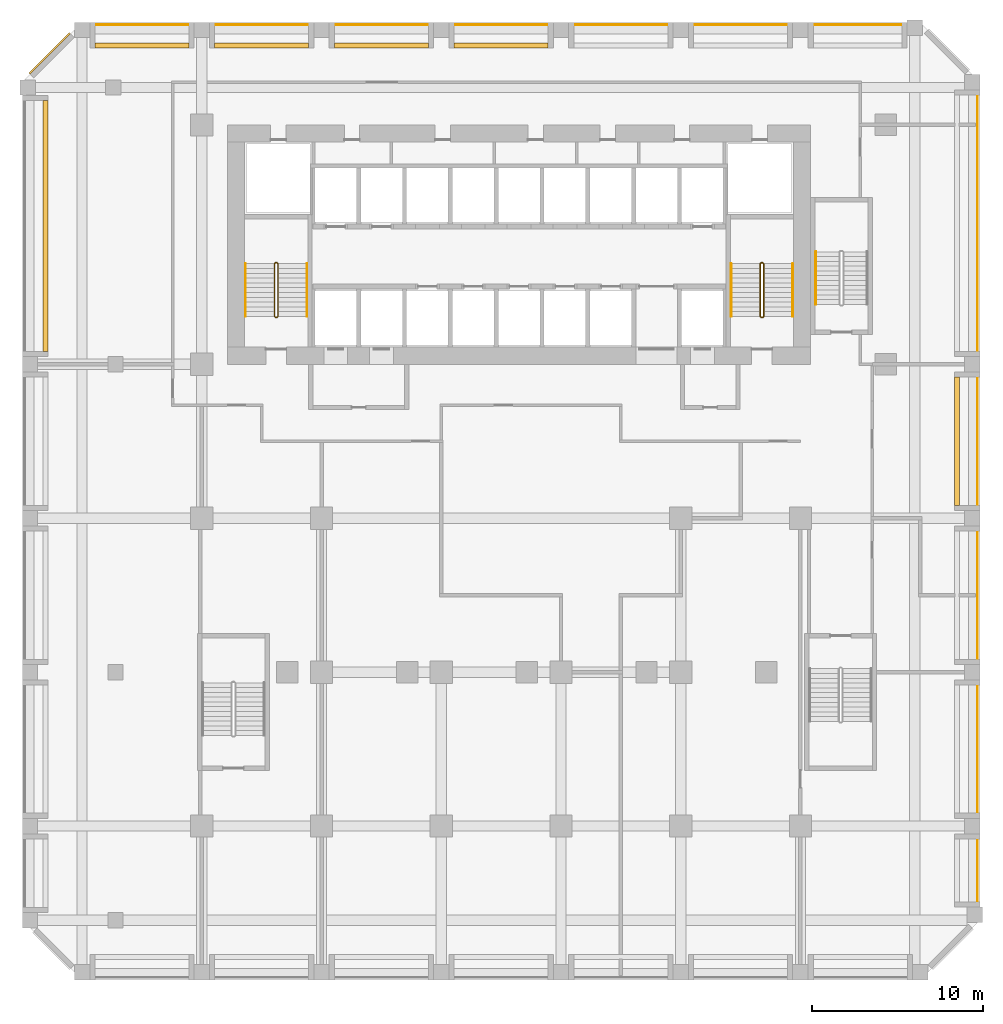
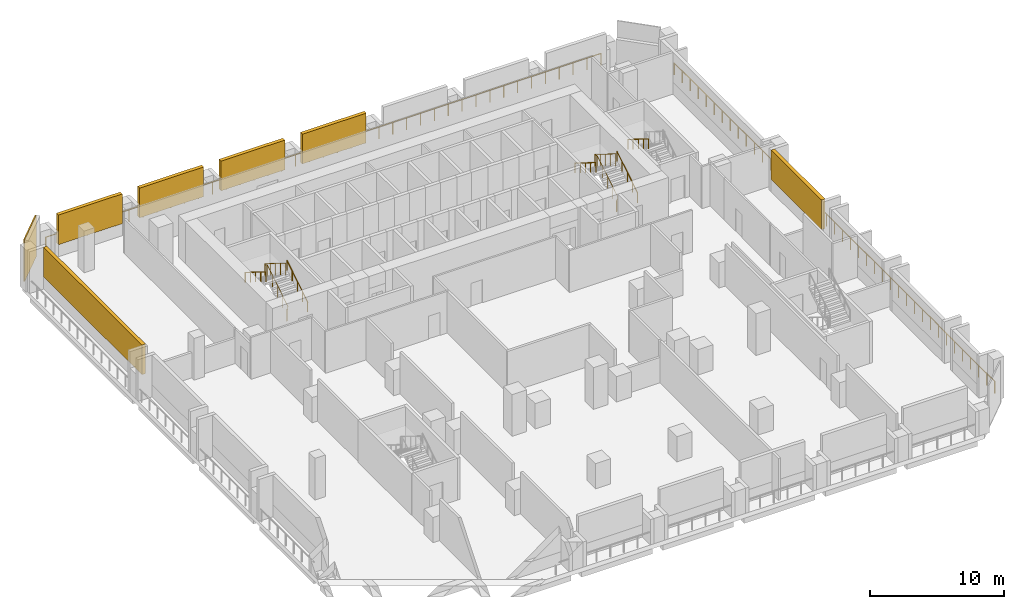
# One storey, part 9 of 10: 9 railings, 7 shading devices.
"""IFC4 building model written with IfcOpenShell, lengths in metres."""

from ifc_helpers import new_model, si_unit, direction, frame, origin, origin_2d, place, context, subcontext, project, spatial, rectangle, circle, extrude, source, transform, mapped, material, layer, layer_set, type_object, element, save


model = new_model("IFC4")

# Units and contexts
model_context = context("Model", 3, precision=1e-05, world=origin(), true_north=direction((0.0, 1.0)))
body_context = subcontext(model_context, "Body", "Model", "MODEL_VIEW")
ifc_project = project(units=[si_unit("LENGTHUNIT", "METRE"), si_unit("AREAUNIT", "SQUARE_METRE"), si_unit("VOLUMEUNIT", "CUBIC_METRE"), si_unit("PLANEANGLEUNIT", "RADIAN"), si_unit("MASSUNIT", "GRAM", prefix="KILO")], contexts=[model_context])

# Site, building, storey
site_placement = place(None, origin())
site = spatial("IfcSite", under=ifc_project, at=site_placement, CompositionType="ELEMENT")
building_placement = place(site_placement, origin())
building = spatial("IfcBuilding", under=site, at=building_placement, Name="Kilnfold Tower and Market Hall", CompositionType="ELEMENT")
storey_placement = place(building_placement, frame((0.0, 0.0, 59.0)))
storey = spatial("IfcBuildingStorey", under=building, at=storey_placement, Name="L13 Plant Transfer Level", CompositionType="ELEMENT", Elevation=59.0)

# Railings
ifc_material_1 = material(Name="Stainless steel 316", Category="steel")
railing_type_1 = type_object("IfcRailingType", Name="CORE STAIR GUARD 1100", PredefinedType="GUARDRAIL", material=ifc_material_1)
railing_1_placement = place(storey_placement, frame((-13.199951171875, 10.75, 0.0)))
element("IfcRailing", 1, at=railing_1_placement, inside=storey, type_object=railing_type_1, Name="L13 Plant Transfer Level ST1 stair guard 1", PredefinedType="GUARDRAIL", context=body_context, shape_type="SweptSolid", body=[
    extrude(circle(Radius=0.02392578125, at=origin_2d()), frame((0.0, 0.0, 1.076171875), z_axis=(1.0, 0.0, 0.0), x_axis=(0.0, 1.0, 0.0)), (0.0, 0.0, 1.0), 0.099853515625),
    extrude(circle(Radius=0.02392578125, at=origin_2d()), frame((0.099853515625, 0.0, 1.076171875), z_axis=(0.265065253269, 0.265065253269, 0.927081885822), x_axis=(-0.707106781187, 0.707106781187, 0.0)), (0.0, 0.0, 1.0), 0.188720703125),
    extrude(circle(Radius=0.02392578125, at=origin_2d()), frame((0.14990234375, 0.050048828125, 1.2509765625), z_axis=(0.0, 0.847979421464, 0.530029150871), x_axis=(-1.0, 0.0, 0.0)), (0.0, 0.0, 1.0), 3.632080078125),
    extrude(circle(Radius=0.02392578125, at=origin_2d()), frame((0.14990234375, 3.1298828125, 3.17626953125), z_axis=(-0.707106781187, 0.707106781187, 0.0), x_axis=(-0.707106781187, -0.707106781187, 0.0)), (0.0, 0.0, 1.0), 0.07080078125),
    extrude(circle(Radius=0.02392578125, at=origin_2d()), frame((0.099853515625, 3.179931640625, 3.17626953125), z_axis=(-1.0, 0.0, 0.0), x_axis=(0.0, -1.0, 0.0)), (0.0, 0.0, 1.0), 0.099853515625),
    extrude(circle(Radius=0.02392578125, at=origin_2d()), frame((0.0, 3.179931640625, 3.17626953125), z_axis=(-0.265383341853, -0.265383341853, 0.926899867156), x_axis=(0.707106781187, -0.707106781187, 0.0)), (0.0, 0.0, 1.0), 0.1884765625),
    extrude(circle(Radius=0.02392578125, at=origin_2d()), frame((-0.050048828125, 3.1298828125, 3.35107421875), z_axis=(0.0, -0.847979421464, 0.530029150871), x_axis=(1.0, 0.0, 0.0)), (0.0, 0.0, 1.0), 3.632080078125),
    extrude(circle(Radius=0.02099609375, at=origin_2d()), origin(), (0.0, 0.0, 1.0), 1.052001953125),
    extrude(circle(Radius=0.02099609375, at=origin_2d()), frame((0.099853515625, 0.0, 0.0)), (0.0, 0.0, 1.0), 1.052001953125),
    extrude(circle(Radius=0.02099609375, at=origin_2d()), frame((0.14990234375, 0.050048828125, 0.175048828125)), (0.0, 0.0, 1.0), 1.052001953125),
    extrude(circle(Radius=0.02099609375, at=origin_2d()), frame((0.14990234375, 0.820068359375, 0.65625)), (0.0, 0.0, 1.0), 1.052001953125),
    extrude(circle(Radius=0.02099609375, at=origin_2d()), frame((0.14990234375, 1.58984375, 1.1376953125)), (0.0, 0.0, 1.0), 1.052001953125),
    extrude(circle(Radius=0.02099609375, at=origin_2d()), frame((0.14990234375, 2.35986328125, 1.618896484375)), (0.0, 0.0, 1.0), 1.052001953125),
    extrude(circle(Radius=0.02099609375, at=origin_2d()), frame((0.14990234375, 3.1298828125, 2.10009765625)), (0.0, 0.0, 1.0), 1.052001953125),
    extrude(circle(Radius=0.02099609375, at=origin_2d()), frame((0.099853515625, 3.179931640625, 2.10009765625)), (0.0, 0.0, 1.0), 1.052001953125),
    extrude(circle(Radius=0.02099609375, at=origin_2d()), frame((0.0, 3.179931640625, 2.10009765625)), (0.0, 0.0, 1.0), 1.052001953125),
    extrude(circle(Radius=0.02099609375, at=origin_2d()), frame((-0.050048828125, 3.1298828125, 2.27490234375)), (0.0, 0.0, 1.0), 1.052001953125),
    extrude(circle(Radius=0.02099609375, at=origin_2d()), frame((-0.050048828125, 2.35986328125, 2.756103515625)), (0.0, 0.0, 1.0), 1.052001953125),
    extrude(circle(Radius=0.02099609375, at=origin_2d()), frame((-0.050048828125, 1.58984375, 3.2373046875)), (0.0, 0.0, 1.0), 1.052001953125),
    extrude(circle(Radius=0.02099609375, at=origin_2d()), frame((-0.050048828125, 0.820068359375, 3.71875)), (0.0, 0.0, 1.0), 1.052001953125),
    extrude(circle(Radius=0.02099609375, at=origin_2d()), frame((-0.050048828125, 0.050048828125, 4.199951171875)), (0.0, 0.0, 1.0), 1.052001953125),
])
railing_2_placement = place(storey_placement, frame((15.199951171875, 10.75, 0.0)))
element("IfcRailing", 2, at=railing_2_placement, inside=storey, type_object=railing_type_1, Name="L13 Plant Transfer Level ST2 stair guard 1", PredefinedType="GUARDRAIL", context=body_context, shape_type="SweptSolid", body=[
    extrude(circle(Radius=0.02392578125, at=origin_2d()), frame((0.0, 0.0, 1.076171875), z_axis=(1.0, 0.0, 0.0), x_axis=(0.0, 1.0, 0.0)), (0.0, 0.0, 1.0), 0.10009765625),
    extrude(circle(Radius=0.02392578125, at=origin_2d()), frame((0.10009765625, 0.0, 1.076171875), z_axis=(0.265065253269, 0.265065253269, 0.927081885822), x_axis=(-0.707106781187, 0.707106781187, 0.0)), (0.0, 0.0, 1.0), 0.188720703125),
    extrude(circle(Radius=0.02392578125, at=origin_2d()), frame((0.150146484375, 0.050048828125, 1.2509765625), z_axis=(0.0, 0.847979421464, 0.530029150871), x_axis=(-1.0, 0.0, 0.0)), (0.0, 0.0, 1.0), 3.632080078125),
    extrude(circle(Radius=0.02392578125, at=origin_2d()), frame((0.150146484375, 3.1298828125, 3.17626953125), z_axis=(-0.707106781187, 0.707106781187, 0.0), x_axis=(-0.707106781187, -0.707106781187, 0.0)), (0.0, 0.0, 1.0), 0.07080078125),
    extrude(circle(Radius=0.02392578125, at=origin_2d()), frame((0.10009765625, 3.179931640625, 3.17626953125), z_axis=(-1.0, 0.0, 0.0), x_axis=(0.0, -1.0, 0.0)), (0.0, 0.0, 1.0), 0.10009765625),
    extrude(circle(Radius=0.02392578125, at=origin_2d()), frame((0.0, 3.179931640625, 3.17626953125), z_axis=(-0.265383341853, -0.265383341853, 0.926899867156), x_axis=(0.707106781187, -0.707106781187, 0.0)), (0.0, 0.0, 1.0), 0.1884765625),
    extrude(circle(Radius=0.02392578125, at=origin_2d()), frame((-0.050048828125, 3.1298828125, 3.35107421875), z_axis=(0.0, -0.847979421464, 0.530029150871), x_axis=(1.0, 0.0, 0.0)), (0.0, 0.0, 1.0), 3.632080078125),
    extrude(circle(Radius=0.02099609375, at=origin_2d()), origin(), (0.0, 0.0, 1.0), 1.052001953125),
    extrude(circle(Radius=0.02099609375, at=origin_2d()), frame((0.10009765625, 0.0, 0.0)), (0.0, 0.0, 1.0), 1.052001953125),
    extrude(circle(Radius=0.02099609375, at=origin_2d()), frame((0.150146484375, 0.050048828125, 0.175048828125)), (0.0, 0.0, 1.0), 1.052001953125),
    extrude(circle(Radius=0.02099609375, at=origin_2d()), frame((0.150146484375, 0.820068359375, 0.65625)), (0.0, 0.0, 1.0), 1.052001953125),
    extrude(circle(Radius=0.02099609375, at=origin_2d()), frame((0.150146484375, 1.58984375, 1.1376953125)), (0.0, 0.0, 1.0), 1.052001953125),
    extrude(circle(Radius=0.02099609375, at=origin_2d()), frame((0.150146484375, 2.35986328125, 1.618896484375)), (0.0, 0.0, 1.0), 1.052001953125),
    extrude(circle(Radius=0.02099609375, at=origin_2d()), frame((0.150146484375, 3.1298828125, 2.10009765625)), (0.0, 0.0, 1.0), 1.052001953125),
    extrude(circle(Radius=0.02099609375, at=origin_2d()), frame((0.10009765625, 3.179931640625, 2.10009765625)), (0.0, 0.0, 1.0), 1.052001953125),
    extrude(circle(Radius=0.02099609375, at=origin_2d()), frame((0.0, 3.179931640625, 2.10009765625)), (0.0, 0.0, 1.0), 1.052001953125),
    extrude(circle(Radius=0.02099609375, at=origin_2d()), frame((-0.050048828125, 3.1298828125, 2.27490234375)), (0.0, 0.0, 1.0), 1.052001953125),
    extrude(circle(Radius=0.02099609375, at=origin_2d()), frame((-0.050048828125, 2.35986328125, 2.756103515625)), (0.0, 0.0, 1.0), 1.052001953125),
    extrude(circle(Radius=0.02099609375, at=origin_2d()), frame((-0.050048828125, 1.58984375, 3.2373046875)), (0.0, 0.0, 1.0), 1.052001953125),
    extrude(circle(Radius=0.02099609375, at=origin_2d()), frame((-0.050048828125, 0.820068359375, 3.71875)), (0.0, 0.0, 1.0), 1.052001953125),
    extrude(circle(Radius=0.02099609375, at=origin_2d()), frame((-0.050048828125, 0.050048828125, 4.199951171875)), (0.0, 0.0, 1.0), 1.052001953125),
])
ifc_material_2 = material(Name="Stainless steel 316", Category="steel")
railing_type_2 = type_object("IfcRailingType", Name="CORE STAIR HANDRAIL 900", PredefinedType="HANDRAIL", material=ifc_material_2)
railing_3_placement = place(storey_placement, frame((-11.35009765625, 10.800048828125, 0.175048828125)))
element("IfcRailing", 3, at=railing_3_placement, inside=storey, type_object=railing_type_2, Name="L13 Plant Transfer Level ST1 stair handrail 1", PredefinedType="HANDRAIL", context=body_context, shape_type="SweptSolid", body=[
    extrude(circle(Radius=0.02392578125, at=origin_2d()), frame((0.0, 0.0, 0.8759765625), z_axis=(0.0, 0.847979421464, 0.530029150871), x_axis=(-1.0, 0.0, 0.0)), (0.0, 0.0, 1.0), 3.632080078125),
    extrude(circle(Radius=0.02099609375, at=origin_2d()), origin(), (0.0, 0.0, 1.0), 0.851806640625),
    extrude(circle(Radius=0.02099609375, at=origin_2d()), frame((0.0, 0.77001953125, 0.481201171875)), (0.0, 0.0, 1.0), 0.851806640625),
    extrude(circle(Radius=0.02099609375, at=origin_2d()), frame((0.0, 1.5400390625, 0.96240234375)), (0.0, 0.0, 1.0), 0.851806640625),
    extrude(circle(Radius=0.02099609375, at=origin_2d()), frame((0.0, 2.309814453125, 1.44384765625)), (0.0, 0.0, 1.0), 0.851806640625),
    extrude(circle(Radius=0.02099609375, at=origin_2d()), frame((0.0, 3.079833984375, 1.925048828125)), (0.0, 0.0, 1.0), 0.851806640625),
])
railing_4_placement = place(storey_placement, frame((-14.949951171875, 13.8798828125, 2.27490234375)))
element("IfcRailing", 4, at=railing_4_placement, inside=storey, type_object=railing_type_2, Name="L13 Plant Transfer Level ST1 stair handrail 2", PredefinedType="HANDRAIL", context=body_context, shape_type="SweptSolid", body=[
    extrude(circle(Radius=0.02392578125, at=origin_2d()), frame((0.0, 0.0, 0.8759765625), z_axis=(0.0, -0.847979421464, 0.530029150871), x_axis=(1.0, 0.0, 0.0)), (0.0, 0.0, 1.0), 3.632080078125),
    extrude(circle(Radius=0.02099609375, at=origin_2d()), origin(), (0.0, 0.0, 1.0), 0.851806640625),
    extrude(circle(Radius=0.02099609375, at=origin_2d()), frame((0.0, -0.77001953125, 0.481201171875)), (0.0, 0.0, 1.0), 0.851806640625),
    extrude(circle(Radius=0.02099609375, at=origin_2d()), frame((0.0, -1.5400390625, 0.96240234375)), (0.0, 0.0, 1.0), 0.851806640625),
    extrude(circle(Radius=0.02099609375, at=origin_2d()), frame((0.0, -2.309814453125, 1.44384765625)), (0.0, 0.0, 1.0), 0.851806640625),
    extrude(circle(Radius=0.02099609375, at=origin_2d()), frame((0.0, -3.079833984375, 1.925048828125)), (0.0, 0.0, 1.0), 0.851806640625),
])
railing_5_placement = place(storey_placement, frame((17.050048828125, 10.800048828125, 0.175048828125)))
element("IfcRailing", 5, at=railing_5_placement, inside=storey, type_object=railing_type_2, Name="L13 Plant Transfer Level ST2 stair handrail 1", PredefinedType="HANDRAIL", context=body_context, shape_type="SweptSolid", body=[
    extrude(circle(Radius=0.02392578125, at=origin_2d()), frame((0.0, 0.0, 0.8759765625), z_axis=(0.0, 0.847979421464, 0.530029150871), x_axis=(-1.0, 0.0, 0.0)), (0.0, 0.0, 1.0), 3.632080078125),
    extrude(circle(Radius=0.02099609375, at=origin_2d()), origin(), (0.0, 0.0, 1.0), 0.851806640625),
    extrude(circle(Radius=0.02099609375, at=origin_2d()), frame((0.0, 0.77001953125, 0.481201171875)), (0.0, 0.0, 1.0), 0.851806640625),
    extrude(circle(Radius=0.02099609375, at=origin_2d()), frame((0.0, 1.5400390625, 0.96240234375)), (0.0, 0.0, 1.0), 0.851806640625),
    extrude(circle(Radius=0.02099609375, at=origin_2d()), frame((0.0, 2.309814453125, 1.44384765625)), (0.0, 0.0, 1.0), 0.851806640625),
    extrude(circle(Radius=0.02099609375, at=origin_2d()), frame((0.0, 3.079833984375, 1.925048828125)), (0.0, 0.0, 1.0), 0.851806640625),
])
railing_6_placement = place(storey_placement, frame((13.449951171875, 13.8798828125, 2.27490234375)))
element("IfcRailing", 6, at=railing_6_placement, inside=storey, type_object=railing_type_2, Name="L13 Plant Transfer Level ST2 stair handrail 2", PredefinedType="HANDRAIL", context=body_context, shape_type="SweptSolid", body=[
    extrude(circle(Radius=0.02392578125, at=origin_2d()), frame((0.0, 0.0, 0.8759765625), z_axis=(0.0, -0.847979421464, 0.530029150871), x_axis=(1.0, 0.0, 0.0)), (0.0, 0.0, 1.0), 3.632080078125),
    extrude(circle(Radius=0.02099609375, at=origin_2d()), origin(), (0.0, 0.0, 1.0), 0.851806640625),
    extrude(circle(Radius=0.02099609375, at=origin_2d()), frame((0.0, -0.77001953125, 0.481201171875)), (0.0, 0.0, 1.0), 0.851806640625),
    extrude(circle(Radius=0.02099609375, at=origin_2d()), frame((0.0, -1.5400390625, 0.96240234375)), (0.0, 0.0, 1.0), 0.851806640625),
    extrude(circle(Radius=0.02099609375, at=origin_2d()), frame((0.0, -2.309814453125, 1.44384765625)), (0.0, 0.0, 1.0), 0.851806640625),
    extrude(circle(Radius=0.02099609375, at=origin_2d()), frame((0.0, -3.079833984375, 1.925048828125)), (0.0, 0.0, 1.0), 0.851806640625),
])
railing_7_placement = place(storey_placement, frame((18.39990234375, 14.580078125, 2.27490234375)))
element("IfcRailing", 7, at=railing_7_placement, inside=storey, type_object=railing_type_2, Name="L13 Plant Transfer Level ST5 stair handrail 2", PredefinedType="HANDRAIL", context=body_context, shape_type="SweptSolid", body=[
    extrude(circle(Radius=0.02392578125, at=origin_2d()), frame((0.0, 0.0, 0.8759765625), z_axis=(0.0, -0.847998304005, 0.529998940003), x_axis=(1.0, 0.0, 0.0)), (0.0, 0.0, 1.0), 3.632080078125),
    extrude(circle(Radius=0.02099609375, at=origin_2d()), origin(), (0.0, 0.0, 1.0), 0.851806640625),
    extrude(circle(Radius=0.02099609375, at=origin_2d()), frame((0.0, -0.77001953125, 0.481201171875)), (0.0, 0.0, 1.0), 0.851806640625),
    extrude(circle(Radius=0.02099609375, at=origin_2d()), frame((0.0, -1.5400390625, 0.96240234375)), (0.0, 0.0, 1.0), 0.851806640625),
    extrude(circle(Radius=0.02099609375, at=origin_2d()), frame((0.0, -2.31005859375, 1.44384765625)), (0.0, 0.0, 1.0), 0.851806640625),
    extrude(circle(Radius=0.02099609375, at=origin_2d()), frame((0.0, -3.080078125, 1.925048828125)), (0.0, 0.0, 1.0), 0.851806640625),
])
ifc_material_3 = material(Name="Stainless steel and laminated glass", Category="steel")
railing_type_3 = type_object("IfcRailingType", Name="GUARD 1100", PredefinedType="GUARDRAIL", material=ifc_material_3)
railing_8_placement = place(storey_placement, frame((27.85009765625, -23.731689453125, 0.0)))
element("IfcRailing", 8, at=railing_8_placement, inside=storey, type_object=railing_type_3, Name="Guard plant edge E L13", PredefinedType="GUARDRAIL", context=body_context, shape_type="SweptSolid", body=[
    extrude(circle(Radius=0.02490234375, at=origin_2d()), frame((0.0, 0.0, 1.0751953125), z_axis=(0.0, 1.0, 0.0), x_axis=(-1.0, 0.0, 0.0)), (0.0, 0.0, 1.0), 47.78173828125),
    extrude(circle(Radius=0.02490234375, at=origin_2d()), origin(), (0.0, 0.0, 1.0), 1.050048828125),
    extrude(circle(Radius=0.02490234375, at=origin_2d()), frame((0.0, 1.194580078125, 0.0)), (0.0, 0.0, 1.0), 1.050048828125),
    extrude(circle(Radius=0.02490234375, at=origin_2d()), frame((0.0, 2.38916015625, 0.0)), (0.0, 0.0, 1.0), 1.050048828125),
    extrude(circle(Radius=0.02490234375, at=origin_2d()), frame((0.0, 3.583740234375, 0.0)), (0.0, 0.0, 1.0), 1.050048828125),
    extrude(circle(Radius=0.02490234375, at=origin_2d()), frame((0.0, 4.778076171875, 0.0)), (0.0, 0.0, 1.0), 1.050048828125),
    extrude(circle(Radius=0.02490234375, at=origin_2d()), frame((0.0, 5.97265625, 0.0)), (0.0, 0.0, 1.0), 1.050048828125),
    extrude(circle(Radius=0.02490234375, at=origin_2d()), frame((0.0, 7.167236328125, 0.0)), (0.0, 0.0, 1.0), 1.050048828125),
    extrude(circle(Radius=0.02490234375, at=origin_2d()), frame((0.0, 8.36181640625, 0.0)), (0.0, 0.0, 1.0), 1.050048828125),
    extrude(circle(Radius=0.02490234375, at=origin_2d()), frame((0.0, 9.556396484375, 0.0)), (0.0, 0.0, 1.0), 1.050048828125),
    extrude(circle(Radius=0.02490234375, at=origin_2d()), frame((0.0, 10.7509765625, 0.0)), (0.0, 0.0, 1.0), 1.050048828125),
    extrude(circle(Radius=0.02490234375, at=origin_2d()), frame((0.0, 11.9453125, 0.0)), (0.0, 0.0, 1.0), 1.050048828125),
    extrude(circle(Radius=0.02490234375, at=origin_2d()), frame((0.0, 13.139892578125, 0.0)), (0.0, 0.0, 1.0), 1.050048828125),
    extrude(circle(Radius=0.02490234375, at=origin_2d()), frame((0.0, 14.33447265625, 0.0)), (0.0, 0.0, 1.0), 1.050048828125),
    extrude(circle(Radius=0.02490234375, at=origin_2d()), frame((0.0, 15.529052734375, 0.0)), (0.0, 0.0, 1.0), 1.050048828125),
    extrude(circle(Radius=0.02490234375, at=origin_2d()), frame((0.0, 16.7236328125, 0.0)), (0.0, 0.0, 1.0), 1.050048828125),
    extrude(circle(Radius=0.02490234375, at=origin_2d()), frame((0.0, 17.918212890625, 0.0)), (0.0, 0.0, 1.0), 1.050048828125),
    extrude(circle(Radius=0.02490234375, at=origin_2d()), frame((0.0, 19.11279296875, 0.0)), (0.0, 0.0, 1.0), 1.050048828125),
    extrude(circle(Radius=0.02490234375, at=origin_2d()), frame((0.0, 20.30712890625, 0.0)), (0.0, 0.0, 1.0), 1.050048828125),
    extrude(circle(Radius=0.02490234375, at=origin_2d()), frame((0.0, 21.501708984375, 0.0)), (0.0, 0.0, 1.0), 1.050048828125),
    extrude(circle(Radius=0.02490234375, at=origin_2d()), frame((0.0, 22.6962890625, 0.0)), (0.0, 0.0, 1.0), 1.050048828125),
    extrude(circle(Radius=0.02490234375, at=origin_2d()), frame((0.0, 23.890869140625, 0.0)), (0.0, 0.0, 1.0), 1.050048828125),
    extrude(circle(Radius=0.02490234375, at=origin_2d()), frame((0.0, 25.08544921875, 0.0)), (0.0, 0.0, 1.0), 1.050048828125),
    extrude(circle(Radius=0.02490234375, at=origin_2d()), frame((0.0, 26.280029296875, 0.0)), (0.0, 0.0, 1.0), 1.050048828125),
    extrude(circle(Radius=0.02490234375, at=origin_2d()), frame((0.0, 27.474609375, 0.0)), (0.0, 0.0, 1.0), 1.050048828125),
    extrude(circle(Radius=0.02490234375, at=origin_2d()), frame((0.0, 28.6689453125, 0.0)), (0.0, 0.0, 1.0), 1.050048828125),
    extrude(circle(Radius=0.02490234375, at=origin_2d()), frame((0.0, 29.863525390625, 0.0)), (0.0, 0.0, 1.0), 1.050048828125),
    extrude(circle(Radius=0.02490234375, at=origin_2d()), frame((0.0, 31.05810546875, 0.0)), (0.0, 0.0, 1.0), 1.050048828125),
    extrude(circle(Radius=0.02490234375, at=origin_2d()), frame((0.0, 32.252685546875, 0.0)), (0.0, 0.0, 1.0), 1.050048828125),
    extrude(circle(Radius=0.02490234375, at=origin_2d()), frame((0.0, 33.447265625, 0.0)), (0.0, 0.0, 1.0), 1.050048828125),
    extrude(circle(Radius=0.02490234375, at=origin_2d()), frame((0.0, 34.641845703125, 0.0)), (0.0, 0.0, 1.0), 1.050048828125),
    extrude(circle(Radius=0.02490234375, at=origin_2d()), frame((0.0, 35.83642578125, 0.0)), (0.0, 0.0, 1.0), 1.050048828125),
    extrude(circle(Radius=0.02490234375, at=origin_2d()), frame((0.0, 37.03076171875, 0.0)), (0.0, 0.0, 1.0), 1.050048828125),
    extrude(circle(Radius=0.02490234375, at=origin_2d()), frame((0.0, 38.225341796875, 0.0)), (0.0, 0.0, 1.0), 1.050048828125),
    extrude(circle(Radius=0.02490234375, at=origin_2d()), frame((0.0, 39.419921875, 0.0)), (0.0, 0.0, 1.0), 1.050048828125),
    extrude(circle(Radius=0.02490234375, at=origin_2d()), frame((0.0, 40.614501953125, 0.0)), (0.0, 0.0, 1.0), 1.050048828125),
    extrude(circle(Radius=0.02490234375, at=origin_2d()), frame((0.0, 41.80908203125, 0.0)), (0.0, 0.0, 1.0), 1.050048828125),
    extrude(circle(Radius=0.02490234375, at=origin_2d()), frame((0.0, 43.003662109375, 0.0)), (0.0, 0.0, 1.0), 1.050048828125),
    extrude(circle(Radius=0.02490234375, at=origin_2d()), frame((0.0, 44.197998046875, 0.0)), (0.0, 0.0, 1.0), 1.050048828125),
    extrude(circle(Radius=0.02490234375, at=origin_2d()), frame((0.0, 45.392578125, 0.0)), (0.0, 0.0, 1.0), 1.050048828125),
    extrude(circle(Radius=0.02490234375, at=origin_2d()), frame((0.0, 46.587158203125, 0.0)), (0.0, 0.0, 1.0), 1.050048828125),
    extrude(circle(Radius=0.02490234375, at=origin_2d()), frame((0.0, 47.78173828125, 0.0)), (0.0, 0.0, 1.0), 1.050048828125),
])
railing_9_placement = place(storey_placement, frame((23.731689453125, 27.85009765625, 0.0)))
element("IfcRailing", 9, at=railing_9_placement, inside=storey, type_object=railing_type_3, Name="Guard plant edge N L13", PredefinedType="GUARDRAIL", context=body_context, shape_type="SweptSolid", body=[
    extrude(circle(Radius=0.02490234375, at=origin_2d()), frame((0.0, 0.0, 1.0751953125), z_axis=(-1.0, 0.0, 0.0), x_axis=(0.0, -1.0, 0.0)), (0.0, 0.0, 1.0), 47.78173828125),
    extrude(circle(Radius=0.02490234375, at=origin_2d()), origin(), (0.0, 0.0, 1.0), 1.050048828125),
    extrude(circle(Radius=0.02490234375, at=origin_2d()), frame((-1.194580078125, 0.0, 0.0)), (0.0, 0.0, 1.0), 1.050048828125),
    extrude(circle(Radius=0.02490234375, at=origin_2d()), frame((-2.38916015625, 0.0, 0.0)), (0.0, 0.0, 1.0), 1.050048828125),
    extrude(circle(Radius=0.02490234375, at=origin_2d()), frame((-3.583740234375, 0.0, 0.0)), (0.0, 0.0, 1.0), 1.050048828125),
    extrude(circle(Radius=0.02490234375, at=origin_2d()), frame((-4.778076171875, 0.0, 0.0)), (0.0, 0.0, 1.0), 1.050048828125),
    extrude(circle(Radius=0.02490234375, at=origin_2d()), frame((-5.97265625, 0.0, 0.0)), (0.0, 0.0, 1.0), 1.050048828125),
    extrude(circle(Radius=0.02490234375, at=origin_2d()), frame((-7.167236328125, 0.0, 0.0)), (0.0, 0.0, 1.0), 1.050048828125),
    extrude(circle(Radius=0.02490234375, at=origin_2d()), frame((-8.36181640625, 0.0, 0.0)), (0.0, 0.0, 1.0), 1.050048828125),
    extrude(circle(Radius=0.02490234375, at=origin_2d()), frame((-9.556396484375, 0.0, 0.0)), (0.0, 0.0, 1.0), 1.050048828125),
    extrude(circle(Radius=0.02490234375, at=origin_2d()), frame((-10.7509765625, 0.0, 0.0)), (0.0, 0.0, 1.0), 1.050048828125),
    extrude(circle(Radius=0.02490234375, at=origin_2d()), frame((-11.9453125, 0.0, 0.0)), (0.0, 0.0, 1.0), 1.050048828125),
    extrude(circle(Radius=0.02490234375, at=origin_2d()), frame((-13.139892578125, 0.0, 0.0)), (0.0, 0.0, 1.0), 1.050048828125),
    extrude(circle(Radius=0.02490234375, at=origin_2d()), frame((-14.33447265625, 0.0, 0.0)), (0.0, 0.0, 1.0), 1.050048828125),
    extrude(circle(Radius=0.02490234375, at=origin_2d()), frame((-15.529052734375, 0.0, 0.0)), (0.0, 0.0, 1.0), 1.050048828125),
    extrude(circle(Radius=0.02490234375, at=origin_2d()), frame((-16.7236328125, 0.0, 0.0)), (0.0, 0.0, 1.0), 1.050048828125),
    extrude(circle(Radius=0.02490234375, at=origin_2d()), frame((-17.918212890625, 0.0, 0.0)), (0.0, 0.0, 1.0), 1.050048828125),
    extrude(circle(Radius=0.02490234375, at=origin_2d()), frame((-19.11279296875, 0.0, 0.0)), (0.0, 0.0, 1.0), 1.050048828125),
    extrude(circle(Radius=0.02490234375, at=origin_2d()), frame((-20.30712890625, 0.0, 0.0)), (0.0, 0.0, 1.0), 1.050048828125),
    extrude(circle(Radius=0.02490234375, at=origin_2d()), frame((-21.501708984375, 0.0, 0.0)), (0.0, 0.0, 1.0), 1.050048828125),
    extrude(circle(Radius=0.02490234375, at=origin_2d()), frame((-22.6962890625, 0.0, 0.0)), (0.0, 0.0, 1.0), 1.050048828125),
    extrude(circle(Radius=0.02490234375, at=origin_2d()), frame((-23.890869140625, 0.0, 0.0)), (0.0, 0.0, 1.0), 1.050048828125),
    extrude(circle(Radius=0.02490234375, at=origin_2d()), frame((-25.08544921875, 0.0, 0.0)), (0.0, 0.0, 1.0), 1.050048828125),
    extrude(circle(Radius=0.02490234375, at=origin_2d()), frame((-26.280029296875, 0.0, 0.0)), (0.0, 0.0, 1.0), 1.050048828125),
    extrude(circle(Radius=0.02490234375, at=origin_2d()), frame((-27.474609375, 0.0, 0.0)), (0.0, 0.0, 1.0), 1.050048828125),
    extrude(circle(Radius=0.02490234375, at=origin_2d()), frame((-28.6689453125, 0.0, 0.0)), (0.0, 0.0, 1.0), 1.050048828125),
    extrude(circle(Radius=0.02490234375, at=origin_2d()), frame((-29.863525390625, 0.0, 0.0)), (0.0, 0.0, 1.0), 1.050048828125),
    extrude(circle(Radius=0.02490234375, at=origin_2d()), frame((-31.05810546875, 0.0, 0.0)), (0.0, 0.0, 1.0), 1.050048828125),
    extrude(circle(Radius=0.02490234375, at=origin_2d()), frame((-32.252685546875, 0.0, 0.0)), (0.0, 0.0, 1.0), 1.050048828125),
    extrude(circle(Radius=0.02490234375, at=origin_2d()), frame((-33.447265625, 0.0, 0.0)), (0.0, 0.0, 1.0), 1.050048828125),
    extrude(circle(Radius=0.02490234375, at=origin_2d()), frame((-34.641845703125, 0.0, 0.0)), (0.0, 0.0, 1.0), 1.050048828125),
    extrude(circle(Radius=0.02490234375, at=origin_2d()), frame((-35.83642578125, 0.0, 0.0)), (0.0, 0.0, 1.0), 1.050048828125),
    extrude(circle(Radius=0.02490234375, at=origin_2d()), frame((-37.03076171875, 0.0, 0.0)), (0.0, 0.0, 1.0), 1.050048828125),
    extrude(circle(Radius=0.02490234375, at=origin_2d()), frame((-38.225341796875, 0.0, 0.0)), (0.0, 0.0, 1.0), 1.050048828125),
    extrude(circle(Radius=0.02490234375, at=origin_2d()), frame((-39.419921875, 0.0, 0.0)), (0.0, 0.0, 1.0), 1.050048828125),
    extrude(circle(Radius=0.02490234375, at=origin_2d()), frame((-40.614501953125, 0.0, 0.0)), (0.0, 0.0, 1.0), 1.050048828125),
    extrude(circle(Radius=0.02490234375, at=origin_2d()), frame((-41.80908203125, 0.0, 0.0)), (0.0, 0.0, 1.0), 1.050048828125),
    extrude(circle(Radius=0.02490234375, at=origin_2d()), frame((-43.003662109375, 0.0, 0.0)), (0.0, 0.0, 1.0), 1.050048828125),
    extrude(circle(Radius=0.02490234375, at=origin_2d()), frame((-44.197998046875, 0.0, 0.0)), (0.0, 0.0, 1.0), 1.050048828125),
    extrude(circle(Radius=0.02490234375, at=origin_2d()), frame((-45.392578125, 0.0, 0.0)), (0.0, 0.0, 1.0), 1.050048828125),
    extrude(circle(Radius=0.02490234375, at=origin_2d()), frame((-46.587158203125, 0.0, 0.0)), (0.0, 0.0, 1.0), 1.050048828125),
    extrude(circle(Radius=0.02490234375, at=origin_2d()), frame((-47.78173828125, 0.0, 0.0)), (0.0, 0.0, 1.0), 1.050048828125),
])

# Shading devices
ifc_material_4 = material(Name="Anodised aluminium", Category="aluminium")
shading_device_type_1 = type_object("IfcShadingDeviceType", Name="LOUVRE", PredefinedType="JALOUSIE", material=ifc_material_4)
shared_shape_1 = source(origin(), body_context, "Body", "SweptSolid", [
    extrude(rectangle(XDim=5.5, YDim=0.300048828125, at=origin_2d()), origin(), (0.0, 0.0, 1.0), 2.699951171875),
])
for number, where, z_axis, x_axis, name in (
    (10, (0.0, 26.64990234375, 1.10009765625), (0.0, 0.0, 1.0), (-1.0, 0.0, 0.0), "Plant louvre L13 N"),
    (11, (-7.0, 26.64990234375, 1.10009765625), (0.0, 0.0, 1.0), (-1.0, 0.0, 0.0), "Plant louvre L13 N"),
    (12, (-14.0, 26.64990234375, 1.10009765625), (0.0, 0.0, 1.0), (-1.0, 0.0, 0.0), "Plant louvre L13 N"),
    (13, (-21.0, 26.64990234375, 1.10009765625), (0.0, 0.0, 1.0), (-1.0, 0.0, 0.0), "Plant louvre L13 N"),
):
    element("IfcShadingDevice", number, at=place(storey_placement, frame(where, z_axis=z_axis, x_axis=x_axis)), inside=storey, type_object=shading_device_type_1, Name=name, ObjectType="LOUVRE", PredefinedType="JALOUSIE", context=body_context, shape_type="MappedRepresentation", body=[
        mapped(shared_shape_1, transform((0.0, 0.0, 0.0))),
    ])
ifc_material_5 = material(Name="Terracotta", Category="masonry")
ifc_layer = layer(ifc_material_5, 0.10009765625)
ifc_layer_set = layer_set([ifc_layer], Name="Terracotta")
shading_device_type_2 = type_object("IfcShadingDeviceType", Name="TERRACOTTA SCREEN 100", PredefinedType="USERDEFINED", material=ifc_layer_set)
shared_shape_2 = source(origin(), body_context, "Body", "SweptSolid", [
    extrude(rectangle(XDim=3.35888671875, YDim=0.10009765625, at=origin_2d()), origin(), (0.0, 0.0, 1.0), 3.800048828125),
])
shading_device_1_placement = place(storey_placement, frame((-26.39794921875, 26.1728515625, 0.0), z_axis=(0.0, 0.0, 1.0), x_axis=(-0.707106781187, -0.707106781187, 0.0)))
element("IfcShadingDevice", 14, at=shading_device_1_placement, inside=storey, type_object=shading_device_type_2, Name="Plant screen L13 NW", ObjectType="SCREEN", PredefinedType="USERDEFINED", context=body_context, shape_type="MappedRepresentation", body=[
    mapped(shared_shape_2, transform((0.0, 0.0, 0.0))),
])
shared_shape_3 = source(origin(), body_context, "Body", "SweptSolid", [
    extrude(rectangle(XDim=7.5, YDim=0.300048828125, at=origin_2d()), origin(), (0.0, 0.0, 1.0), 2.699951171875),
])
shading_device_2_placement = place(storey_placement, frame((26.64990234375, 3.5, 1.10009765625), z_axis=(0.0, 0.0, 1.0), x_axis=(0.0, 1.0, 0.0)))
element("IfcShadingDevice", 15, at=shading_device_2_placement, inside=storey, type_object=shading_device_type_1, Name="Plant louvre L13 E", ObjectType="LOUVRE", PredefinedType="JALOUSIE", context=body_context, shape_type="MappedRepresentation", body=[
    mapped(shared_shape_3, transform((0.0, 0.0, 0.0))),
])
shared_shape_4 = source(origin(), body_context, "Body", "SweptSolid", [
    extrude(rectangle(XDim=14.681884765625, YDim=0.300048828125, at=origin_2d()), origin(), (0.0, 0.0, 1.0), 2.699951171875),
])
shading_device_3_placement = place(storey_placement, frame((-26.64990234375, 16.0908203125, 1.10009765625), z_axis=(0.0, 0.0, 1.0), x_axis=(0.0, -1.0, 0.0)))
element("IfcShadingDevice", 16, at=shading_device_3_placement, inside=storey, type_object=shading_device_type_1, Name="Plant louvre L13 W", ObjectType="LOUVRE", PredefinedType="JALOUSIE", context=body_context, shape_type="MappedRepresentation", body=[
    mapped(shared_shape_4, transform((0.0, 0.0, 0.0))),
])

save(model, "model.ifc")
